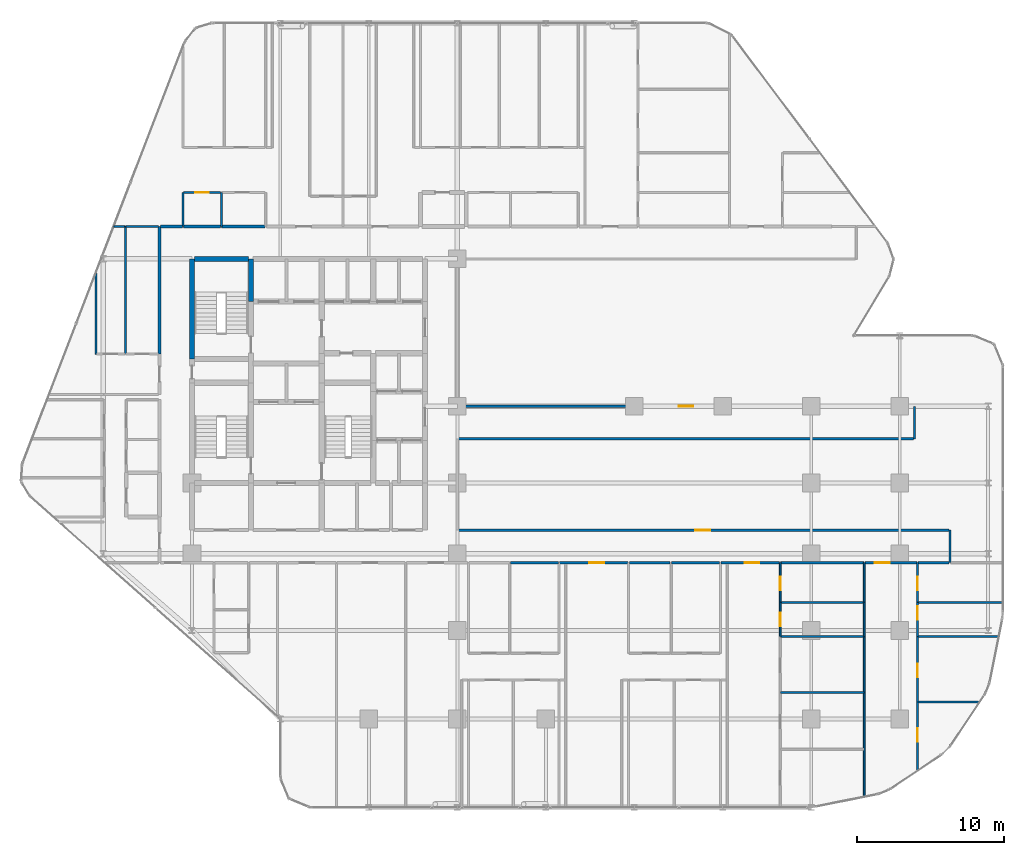
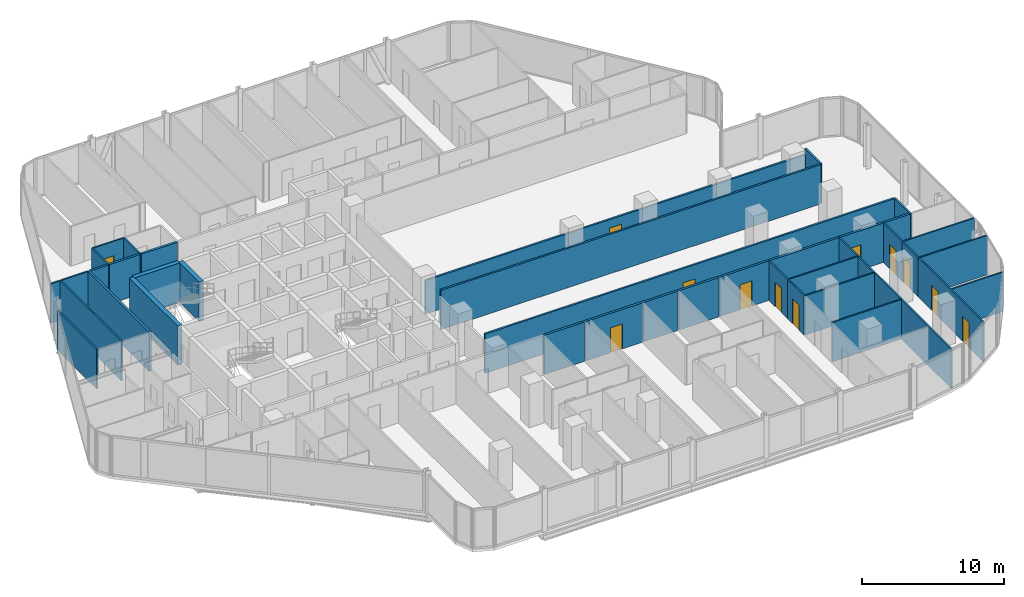
# One storey, part 29 of 33: 41 walls, 12 doors, 12 openings.
"""IFC4 building model written with IfcOpenShell, lengths in metres."""

from ifc_helpers import new_model, si_unit, direction, frame, frame_2d, origin, place, context, subcontext, project, spatial, rectangle, extrude, material, layer, layer_set, type_object, element, fill, save


model = new_model("IFC4")

# Units and contexts
model_context = context("Model", 3, precision=1e-05, world=origin(), true_north=direction((0.0, 1.0)))
body_context = subcontext(model_context, "Body", "Model", "MODEL_VIEW")
ifc_project = project(units=[si_unit("LENGTHUNIT", "METRE"), si_unit("AREAUNIT", "SQUARE_METRE"), si_unit("VOLUMEUNIT", "CUBIC_METRE"), si_unit("PLANEANGLEUNIT", "RADIAN"), si_unit("MASSUNIT", "GRAM", prefix="KILO")], contexts=[model_context])

# Site, building, storey
site_placement = place(None, origin())
site = spatial("IfcSite", under=ifc_project, at=site_placement, CompositionType="ELEMENT")
building_placement = place(site_placement, origin())
building = spatial("IfcBuilding", under=site, at=building_placement, Name="Keshet Zoharim Tower", CompositionType="ELEMENT")
storey_placement = place(building_placement, frame((0.0, 0.0, 73.800048828125)))
storey = spatial("IfcBuildingStorey", under=building, at=storey_placement, Name="L17", CompositionType="ELEMENT", Elevation=73.800048828125)

# Walls
ifc_material_1 = material(Name="Gypsum Plasterboard", Category="gypsum")
ifc_layer_1 = layer(ifc_material_1, 0.14990234375)
ifc_layer_set_1 = layer_set([ifc_layer_1], Name="Gypsum Plasterboard")
wall_type_1 = type_object("IfcWallType", Name="WL-CLIN-150", PredefinedType="STANDARD", material=ifc_layer_set_1)
wall_1_placement = place(storey_placement, frame((64.0, 25.699951171875, 0.0), z_axis=(0.0, 0.0, 1.0), x_axis=(0.0, 1.0, 0.0)))
element("IfcWall", 1, at=wall_1_placement, inside=storey, type_object=wall_type_1, Name="L17 Interior Wall 110", PredefinedType="STANDARD", context=body_context, shape_type="SweptSolid", body=[
    extrude(rectangle(XDim=2.199951171875, YDim=0.14990234375, at=frame_2d((1.10009765625, 0.0))), origin(), (0.0, 0.0, 1.0), 3.385009765625),
])
wall_2_placement = place(storey_placement, frame((66.39990234375, 17.31005859375, 0.0), z_axis=(0.0, 0.0, 1.0), x_axis=(0.0, 1.0, 0.0)))
element("IfcWall", 2, at=wall_2_placement, inside=storey, type_object=wall_type_1, Name="L17 Interior Wall 114", PredefinedType="STANDARD", context=body_context, shape_type="SweptSolid", body=[
    extrude(rectangle(XDim=2.18994140625, YDim=0.14990234375, at=frame_2d((1.094970703125, 0.0))), origin(), (0.0, 0.0, 1.0), 3.385009765625),
])

# Wall, opening, door
wall_3_placement = place(storey_placement, frame((33.070068359375, 19.5, 0.0), z_axis=(0.0, 0.0, 1.0), x_axis=(1.0, 0.0, 0.0)))
wall_3 = element("IfcWall", 3, at=wall_3_placement, inside=storey, type_object=wall_type_1, Name="L17 Interior Wall 155", PredefinedType="STANDARD", context=body_context, shape_type="SweptSolid", body=[
    extrude(rectangle(XDim=33.27001953125, YDim=0.14990234375, at=frame_2d((16.635009765625, 0.0))), origin(), (0.0, 0.0, 1.0), 3.385009765625),
])
opening_1_placement = place(wall_3_placement, frame((16.06494140625, 0.0, 0.0)))
opening_1 = element("IfcOpeningElement", 4, at=opening_1_placement, cuts=wall_3, Name="Opening D-F310", PredefinedType="OPENING", context=body_context, shape_type="SweptSolid", body=[
    extrude(rectangle(XDim=1.0, YDim=2.14990234375, at=frame_2d((0.5, 1.074951171875))), frame((0.0, 0.0849609375, 0.0), z_axis=(0.0, -1.0, 0.0), x_axis=(1.0, 0.0, 0.0)), (0.0, 0.0, 1.0), 0.169921875),
])
ifc_material_2 = material(Name="Hardwood Timber", Category="wood")
door_type_1 = type_object("IfcDoorType", Name="DR-FD30-100", OperationType="NOTDEFINED", PredefinedType="DOOR", material=ifc_material_2)
door_1_placement = place(opening_1_placement, origin())
door_1 = element("IfcDoor", 5, at=door_1_placement, inside=storey, type_object=door_type_1, Name="L17 North East Residents Services Suite Door 1", OperationType="SINGLE_SWING_LEFT", OverallHeight=2.14990234375, OverallWidth=1.0, PredefinedType="DOOR", context=body_context, shape_type="SweptSolid", body=[
    extrude(rectangle(XDim=1.0, YDim=2.14990234375, at=frame_2d((0.5, 1.074951171875))), frame((0.0, 0.02490234375, 0.0), z_axis=(0.0, -1.0, 0.0), x_axis=(1.0, 0.0, 0.0)), (0.0, 0.0, 1.0), 0.050048828125),
])
fill(opening_1, door_1)

# Wall
wall_4_placement = place(storey_placement, frame((33.070068359375, 25.699951171875, 0.0), z_axis=(0.0, 0.0, 1.0), x_axis=(1.0, 0.0, 0.0)))
element("IfcWall", 6, at=wall_4_placement, inside=storey, type_object=wall_type_1, Name="L17 Interior Wall 169", PredefinedType="STANDARD", context=body_context, shape_type="SweptSolid", body=[
    extrude(rectangle(XDim=30.869873046875, YDim=0.14990234375, at=frame_2d((15.43505859375, 0.0))), origin(), (0.0, 0.0, 1.0), 3.385009765625),
])

# Wall, opening, door
wall_5_placement = place(storey_placement, frame((33.070068359375, 27.89990234375, 0.0), z_axis=(0.0, 0.0, 1.0), x_axis=(1.0, 0.0, 0.0)))
wall_5 = element("IfcWall", 7, at=wall_5_placement, inside=storey, type_object=wall_type_1, Name="L17 Interior Wall 170", PredefinedType="STANDARD", context=body_context, shape_type="SweptSolid", body=[
    extrude(rectangle(XDim=30.869873046875, YDim=0.14990234375, at=frame_2d((15.43505859375, 0.0))), origin(), (0.0, 0.0, 1.0), 2.885009765625),
])
opening_2_placement = place(wall_5_placement, frame((14.93505859375, 0.0, 0.0)))
opening_2 = element("IfcOpeningElement", 8, at=opening_2_placement, cuts=wall_5, Name="Opening D-F310", PredefinedType="OPENING", context=body_context, shape_type="SweptSolid", body=[
    extrude(rectangle(XDim=1.0, YDim=2.14990234375, at=frame_2d((0.5, 1.074951171875))), frame((0.0, 0.0849609375, 0.0), z_axis=(0.0, -1.0, 0.0), x_axis=(1.0, 0.0, 0.0)), (0.0, 0.0, 1.0), 0.169921875),
])
door_2_placement = place(opening_2_placement, origin())
door_2 = element("IfcDoor", 9, at=door_2_placement, inside=storey, type_object=door_type_1, Name="L17 North East Residents Services Suite Door 2", OperationType="SINGLE_SWING_LEFT", OverallHeight=2.14990234375, OverallWidth=1.0, PredefinedType="DOOR", context=body_context, shape_type="SweptSolid", body=[
    extrude(rectangle(XDim=1.0, YDim=2.14990234375, at=frame_2d((0.5, 1.074951171875))), frame((0.0, 0.02490234375, 0.0), z_axis=(0.0, -1.0, 0.0), x_axis=(1.0, 0.0, 0.0)), (0.0, 0.0, 1.0), 0.050048828125),
])
fill(opening_2, door_2)

# Walls
ifc_material_3 = material(Name="Concrete C60/75", Category="concrete")
ifc_layer_2 = layer(ifc_material_3, 0.35009765625)
ifc_layer_set_2 = layer_set([ifc_layer_2], Name="Concrete C60/75")
wall_type_2 = type_object("IfcWallType", Name="WL-CORE-350", PredefinedType="SHEAR", material=ifc_layer_set_2)
wall_6_placement = place(storey_placement, frame((15.0, 31.10009765625, 0.0), z_axis=(0.0, 0.0, 1.0), x_axis=(0.0, 1.0, 0.0)))
element("IfcWall", 10, at=wall_6_placement, inside=storey, type_object=wall_type_2, Name="L17 Core Shear Wall 018", PredefinedType="SHEAR", context=body_context, shape_type="SweptSolid", body=[
    extrude(rectangle(XDim=6.7998046875, YDim=0.35009765625, at=frame_2d((3.39990234375, 0.0))), origin(), (0.0, 0.0, 1.0), 3.385009765625),
])
wall_7_placement = place(storey_placement, frame((19.0, 35.0, 0.0), z_axis=(0.0, 0.0, 1.0), x_axis=(0.0, 1.0, 0.0)))
element("IfcWall", 11, at=wall_7_placement, inside=storey, type_object=wall_type_2, Name="L17 Core Shear Wall 029", PredefinedType="SHEAR", context=body_context, shape_type="SweptSolid", body=[
    extrude(rectangle(XDim=2.89990234375, YDim=0.35009765625, at=frame_2d((1.449951171875, 0.0))), origin(), (0.0, 0.0, 1.0), 3.385009765625),
])
wall_8_placement = place(storey_placement, frame((15.159912109375, 37.89990234375, 0.0), z_axis=(0.0, 0.0, 1.0), x_axis=(1.0, 0.0, 0.0)))
element("IfcWall", 12, at=wall_8_placement, inside=storey, type_object=wall_type_2, Name="L17 Core Shear Wall 186", PredefinedType="SHEAR", context=body_context, shape_type="SweptSolid", body=[
    extrude(rectangle(XDim=3.68017578125, YDim=0.35009765625, at=frame_2d((1.840087890625, 0.0))), origin(), (0.0, 0.0, 1.0), 3.385009765625),
])
ifc_layer_3 = layer(ifc_material_1, 0.179931640625)
ifc_layer_set_3 = layer_set([ifc_layer_3], Name="Gypsum Plasterboard")
wall_type_3 = type_object("IfcWallType", Name="WL-CORR-180", PredefinedType="STANDARD", material=ifc_layer_set_3)
wall_9_placement = place(storey_placement, frame((12.800048828125, 31.449951171875, 0.0), z_axis=(0.0, 0.0, 1.0), x_axis=(0.0, 1.0, 0.0)))
element("IfcWall", 13, at=wall_9_placement, inside=storey, type_object=wall_type_3, Name="L17 Interior Wall 012", PredefinedType="STANDARD", context=body_context, shape_type="SweptSolid", body=[
    extrude(rectangle(XDim=8.650146484375, YDim=0.179931640625, at=frame_2d((4.3251953125, 0.0))), origin(), (0.0, 0.0, 1.0), 3.385009765625),
])
wall_10_placement = place(storey_placement, frame((36.614013671875, 17.300048828125, 0.0), z_axis=(0.0, 0.0, 1.0), x_axis=(1.0, 0.0, 0.0)))
element("IfcWall", 14, at=wall_10_placement, inside=storey, type_object=wall_type_3, Name="L17 Interior Wall 142", PredefinedType="STANDARD", context=body_context, shape_type="SweptSolid", body=[
    extrude(rectangle(XDim=3.23095703125, YDim=0.179931640625, at=frame_2d((1.615478515625, 0.0))), origin(), (0.0, 0.0, 1.0), 3.385009765625),
])

# Wall, opening, door
wall_11_placement = place(storey_placement, frame((39.93505859375, 17.300048828125, 0.0), z_axis=(0.0, 0.0, 1.0), x_axis=(1.0, 0.0, 0.0)))
wall_11 = element("IfcWall", 15, at=wall_11_placement, inside=storey, type_object=wall_type_3, Name="L17 Interior Wall 143", PredefinedType="STANDARD", context=body_context, shape_type="SweptSolid", body=[
    extrude(rectangle(XDim=4.639892578125, YDim=0.179931640625, at=frame_2d((2.31982421875, 0.0))), origin(), (0.0, 0.0, 1.0), 3.385009765625),
])
opening_3_placement = place(wall_11_placement, frame((2.02001953125, 0.0, 0.0)))
opening_3 = element("IfcOpeningElement", 16, at=opening_3_placement, cuts=wall_11, Name="Opening D-F310", PredefinedType="OPENING", context=body_context, shape_type="SweptSolid", body=[
    extrude(rectangle(XDim=1.0, YDim=2.14990234375, at=frame_2d((0.5, 1.074951171875))), frame((0.0, 0.10009765625, 0.0), z_axis=(0.0, -1.0, 0.0), x_axis=(1.0, 0.0, 0.0)), (0.0, 0.0, 1.0), 0.199951171875),
])
door_3_placement = place(opening_3_placement, origin())
door_3 = element("IfcDoor", 17, at=door_3_placement, inside=storey, type_object=door_type_1, Name="Apartment 1703 Entrance Door", OperationType="SINGLE_SWING_LEFT", OverallHeight=2.14990234375, OverallWidth=1.0, PredefinedType="DOOR", context=body_context, shape_type="SweptSolid", body=[
    extrude(rectangle(XDim=1.0, YDim=2.14990234375, at=frame_2d((0.5, 1.074951171875))), frame((0.0, 0.02490234375, 0.0), z_axis=(0.0, -1.0, 0.0), x_axis=(1.0, 0.0, 0.0)), (0.0, 0.0, 1.0), 0.050048828125),
])
fill(opening_3, door_3)

# Walls
wall_12_placement = place(storey_placement, frame((44.6650390625, 17.300048828125, 0.0), z_axis=(0.0, 0.0, 1.0), x_axis=(1.0, 0.0, 0.0)))
element("IfcWall", 18, at=wall_12_placement, inside=storey, type_object=wall_type_3, Name="L17 Interior Wall 144", PredefinedType="STANDARD", context=body_context, shape_type="SweptSolid", body=[
    extrude(rectangle(XDim=2.766845703125, YDim=0.179931640625, at=frame_2d((1.38330078125, 0.0))), origin(), (0.0, 0.0, 1.0), 3.385009765625),
])
wall_13_placement = place(storey_placement, frame((47.52197265625, 17.300048828125, 0.0), z_axis=(0.0, 0.0, 1.0), x_axis=(1.0, 0.0, 0.0)))
element("IfcWall", 19, at=wall_13_placement, inside=storey, type_object=wall_type_3, Name="L17 Interior Wall 145", PredefinedType="STANDARD", context=body_context, shape_type="SweptSolid", body=[
    extrude(rectangle(XDim=3.262939453125, YDim=0.179931640625, at=frame_2d((1.63134765625, 0.0))), origin(), (0.0, 0.0, 1.0), 3.385009765625),
])

# Wall, opening, door
wall_14_placement = place(storey_placement, frame((50.875, 17.300048828125, 0.0), z_axis=(0.0, 0.0, 1.0), x_axis=(1.0, 0.0, 0.0)))
wall_14 = element("IfcWall", 20, at=wall_14_placement, inside=storey, type_object=wall_type_3, Name="L17 Interior Wall 146", PredefinedType="STANDARD", context=body_context, shape_type="SweptSolid", body=[
    extrude(rectangle(XDim=3.9599609375, YDim=0.179931640625, at=frame_2d((1.97998046875, 0.0))), origin(), (0.0, 0.0, 1.0), 3.385009765625),
])
opening_4_placement = place(wall_14_placement, frame((1.60888671875, 0.0, 0.0)))
opening_4 = element("IfcOpeningElement", 21, at=opening_4_placement, cuts=wall_14, Name="Opening D-F310", PredefinedType="OPENING", context=body_context, shape_type="SweptSolid", body=[
    extrude(rectangle(XDim=1.0, YDim=2.14990234375, at=frame_2d((0.5, 1.074951171875))), frame((0.0, 0.10009765625, 0.0), z_axis=(0.0, -1.0, 0.0), x_axis=(1.0, 0.0, 0.0)), (0.0, 0.0, 1.0), 0.199951171875),
])
door_4_placement = place(opening_4_placement, origin())
door_4 = element("IfcDoor", 22, at=door_4_placement, inside=storey, type_object=door_type_1, Name="Apartment 1704 Entrance Door", OperationType="SINGLE_SWING_RIGHT", OverallHeight=2.14990234375, OverallWidth=1.0, PredefinedType="DOOR", context=body_context, shape_type="SweptSolid", body=[
    extrude(rectangle(XDim=1.0, YDim=2.14990234375, at=frame_2d((0.5, 1.074951171875))), frame((0.0, 0.02490234375, 0.0), z_axis=(0.0, -1.0, 0.0), x_axis=(1.0, 0.0, 0.0)), (0.0, 0.0, 1.0), 0.050048828125),
])
fill(opening_4, door_4)

# Wall
wall_15_placement = place(storey_placement, frame((54.925048828125, 17.300048828125, 0.0), z_axis=(0.0, 0.0, 1.0), x_axis=(1.0, 0.0, 0.0)))
element("IfcWall", 23, at=wall_15_placement, inside=storey, type_object=wall_type_3, Name="L17 Interior Wall 147", PredefinedType="STANDARD", context=body_context, shape_type="SweptSolid", body=[
    extrude(rectangle(XDim=5.639892578125, YDim=0.179931640625, at=frame_2d((2.81982421875, 0.0))), origin(), (0.0, 0.0, 1.0), 3.385009765625),
])

# Wall, opening, door
wall_16_placement = place(storey_placement, frame((60.655029296875, 17.300048828125, 0.0), z_axis=(0.0, 0.0, 1.0), x_axis=(1.0, 0.0, 0.0)))
wall_16 = element("IfcWall", 24, at=wall_16_placement, inside=storey, type_object=wall_type_3, Name="L17 Interior Wall 148", PredefinedType="STANDARD", context=body_context, shape_type="SweptSolid", body=[
    extrude(rectangle(XDim=3.510009765625, YDim=0.179931640625, at=frame_2d((1.7548828125, 0.0))), origin(), (0.0, 0.0, 1.0), 3.385009765625),
])
opening_5_placement = place(wall_16_placement, frame((0.659912109375, 0.0, 0.0)))
opening_5 = element("IfcOpeningElement", 25, at=opening_5_placement, cuts=wall_16, Name="Opening D-F310", PredefinedType="OPENING", context=body_context, shape_type="SweptSolid", body=[
    extrude(rectangle(XDim=1.0, YDim=2.14990234375, at=frame_2d((0.5, 1.074951171875))), frame((0.0, 0.10009765625, 0.0), z_axis=(0.0, -1.0, 0.0), x_axis=(1.0, 0.0, 0.0)), (0.0, 0.0, 1.0), 0.199951171875),
])
door_5_placement = place(opening_5_placement, origin())
door_5 = element("IfcDoor", 26, at=door_5_placement, inside=storey, type_object=door_type_1, Name="Apartment 1705 Entrance Door", OperationType="SINGLE_SWING_LEFT", OverallHeight=2.14990234375, OverallWidth=1.0, PredefinedType="DOOR", context=body_context, shape_type="SweptSolid", body=[
    extrude(rectangle(XDim=1.0, YDim=2.14990234375, at=frame_2d((0.5, 1.074951171875))), frame((0.0, 0.02490234375, 0.0), z_axis=(0.0, -1.0, 0.0), x_axis=(1.0, 0.0, 0.0)), (0.0, 0.0, 1.0), 0.050048828125),
])
fill(opening_5, door_5)

# Walls
wall_17_placement = place(storey_placement, frame((64.2548828125, 17.300048828125, 0.0), z_axis=(0.0, 0.0, 1.0), x_axis=(1.0, 0.0, 0.0)))
element("IfcWall", 27, at=wall_17_placement, inside=storey, type_object=wall_type_3, Name="L17 Interior Wall 149", PredefinedType="STANDARD", context=body_context, shape_type="SweptSolid", body=[
    extrude(rectangle(XDim=2.085205078125, YDim=0.179931640625, at=frame_2d((1.04248046875, 0.0))), origin(), (0.0, 0.0, 1.0), 3.385009765625),
])
wall_18_placement = place(storey_placement, frame((12.875, 40.10009765625, 0.0), z_axis=(0.0, 0.0, 1.0), x_axis=(1.0, 0.0, 0.0)))
element("IfcWall", 28, at=wall_18_placement, inside=storey, type_object=wall_type_3, Name="L17 Interior Wall 191", PredefinedType="STANDARD", context=body_context, shape_type="SweptSolid", body=[
    extrude(rectangle(XDim=1.47998046875, YDim=0.179931640625, at=frame_2d((0.739990234375, 0.0))), origin(), (0.0, 0.0, 1.0), 3.385009765625),
])
wall_19_placement = place(storey_placement, frame((14.445068359375, 40.10009765625, 0.0), z_axis=(0.0, 0.0, 1.0), x_axis=(1.0, 0.0, 0.0)))
element("IfcWall", 29, at=wall_19_placement, inside=storey, type_object=wall_type_3, Name="L17 Interior Wall 192", PredefinedType="STANDARD", context=body_context, shape_type="SweptSolid", body=[
    extrude(rectangle(XDim=2.48583984375, YDim=0.179931640625, at=frame_2d((1.242919921875, 0.0))), origin(), (0.0, 0.0, 1.0), 3.385009765625),
])
wall_20_placement = place(storey_placement, frame((17.02099609375, 40.10009765625, 0.0), z_axis=(0.0, 0.0, 1.0), x_axis=(1.0, 0.0, 0.0)))
element("IfcWall", 30, at=wall_20_placement, inside=storey, type_object=wall_type_3, Name="L17 Interior Wall 193", PredefinedType="STANDARD", context=body_context, shape_type="SweptSolid", body=[
    extrude(rectangle(XDim=2.93408203125, YDim=0.179931640625, at=frame_2d((1.467041015625, 0.0))), origin(), (0.0, 0.0, 1.0), 3.385009765625),
])
ifc_layer_4 = layer(ifc_material_1, 0.1201171875)
ifc_layer_set_4 = layer_set([ifc_layer_4], Name="Gypsum Plasterboard")
wall_type_4 = type_object("IfcWallType", Name="WL-PART-120", PredefinedType="PARTITIONING", material=ifc_layer_set_4)
wall_21_placement = place(storey_placement, frame((8.5, 31.449951171875, 0.0), z_axis=(0.0, 0.0, 1.0), x_axis=(0.0, 1.0, 0.0)))
element("IfcWall", 31, at=wall_21_placement, inside=storey, type_object=wall_type_4, Name="L17 Interior Wall 001", PredefinedType="PARTITIONING", context=body_context, shape_type="SweptSolid", body=[
    extrude(rectangle(XDim=5.5400390625, YDim=0.1201171875, at=frame_2d((2.77001953125, 0.0))), origin(), (0.0, 0.0, 1.0), 3.385009765625),
])
wall_22_placement = place(storey_placement, frame((14.39990234375, 40.10009765625, 0.0), z_axis=(0.0, 0.0, 1.0), x_axis=(0.0, 1.0, 0.0)))
element("IfcWall", 32, at=wall_22_placement, inside=storey, type_object=wall_type_4, Name="L17 Interior Wall 013", PredefinedType="PARTITIONING", context=body_context, shape_type="SweptSolid", body=[
    extrude(rectangle(XDim=2.2998046875, YDim=0.1201171875, at=frame_2d((1.14990234375, 0.0))), origin(), (0.0, 0.0, 1.0), 3.385009765625),
])

# Wall, opening, door
wall_23_placement = place(storey_placement, frame((54.89990234375, 12.300048828125, 0.0), z_axis=(0.0, 0.0, 1.0), x_axis=(0.0, 1.0, 0.0)))
wall_23 = element("IfcWall", 33, at=wall_23_placement, inside=storey, type_object=wall_type_4, Name="L17 Interior Wall 102", PredefinedType="PARTITIONING", context=body_context, shape_type="SweptSolid", body=[
    extrude(rectangle(XDim=2.300048828125, YDim=0.1201171875, at=frame_2d((1.14990234375, 0.0))), origin(), (0.0, 0.0, 1.0), 3.385009765625),
])
opening_6_placement = place(wall_23_placement, frame((0.699951171875, 0.0, 0.0)))
opening_6 = element("IfcOpeningElement", 34, at=opening_6_placement, cuts=wall_23, Name="Opening D-IN90", PredefinedType="OPENING", context=body_context, shape_type="SweptSolid", body=[
    extrude(rectangle(XDim=0.89990234375, YDim=2.14990234375, at=frame_2d((0.449951171875, 1.074951171875))), frame((0.0, 0.070068359375, 0.0), z_axis=(0.0, -1.0, 0.0), x_axis=(1.0, 0.0, 0.0)), (0.0, 0.0, 1.0), 0.14013671875),
])
door_type_2 = type_object("IfcDoorType", Name="DR-INT-090", OperationType="NOTDEFINED", PredefinedType="DOOR", material=ifc_material_2)
door_6_placement = place(opening_6_placement, origin())
door_6 = element("IfcDoor", 35, at=door_6_placement, inside=storey, type_object=door_type_2, Name="Apartment 1704 Kitchen Door", OperationType="SINGLE_SWING_LEFT", OverallHeight=2.14990234375, OverallWidth=0.89990234375, PredefinedType="DOOR", context=body_context, shape_type="SweptSolid", body=[
    extrude(rectangle(XDim=0.89990234375, YDim=2.14990234375, at=frame_2d((0.449951171875, 1.074951171875))), frame((0.0, 0.02490234375, 0.0), z_axis=(0.0, -1.0, 0.0), x_axis=(1.0, 0.0, 0.0)), (0.0, 0.0, 1.0), 0.050048828125),
])
fill(opening_6, door_6)

# Walls
wall_24_placement = place(storey_placement, frame((60.60009765625, 1.426025390625, 0.0), z_axis=(0.0, 0.0, 1.0), x_axis=(0.0, 1.0, 0.0)))
element("IfcWall", 36, at=wall_24_placement, inside=storey, type_object=wall_type_4, Name="L17 Interior Wall 107", PredefinedType="PARTITIONING", context=body_context, shape_type="SweptSolid", body=[
    extrude(rectangle(XDim=10.8740234375, YDim=0.1201171875, at=frame_2d((5.43701171875, 0.0))), origin(), (0.0, 0.0, 1.0), 3.385009765625),
])
wall_25_placement = place(storey_placement, frame((60.60009765625, 12.300048828125, 0.0), z_axis=(0.0, 0.0, 1.0), x_axis=(0.0, 1.0, 0.0)))
element("IfcWall", 37, at=wall_25_placement, inside=storey, type_object=wall_type_4, Name="L17 Interior Wall 108", PredefinedType="PARTITIONING", context=body_context, shape_type="SweptSolid", body=[
    extrude(rectangle(XDim=2.300048828125, YDim=0.1201171875, at=frame_2d((1.14990234375, 0.0))), origin(), (0.0, 0.0, 1.0), 3.385009765625),
])

# Wall, openings, doors
wall_26_placement = place(storey_placement, frame((64.199951171875, 3.18701171875, 0.0), z_axis=(0.0, 0.0, 1.0), x_axis=(0.0, 1.0, 0.0)))
wall_26 = element("IfcWall", 38, at=wall_26_placement, inside=storey, type_object=wall_type_4, Name="L17 Interior Wall 111", PredefinedType="PARTITIONING", context=body_context, shape_type="SweptSolid", body=[
    extrude(rectangle(XDim=9.113037109375, YDim=0.1201171875, at=frame_2d((4.556640625, 0.0))), origin(), (0.0, 0.0, 1.0), 3.385009765625),
])
opening_7_placement = place(wall_26_placement, frame((1.969970703125, 0.0, 0.0)))
opening_7 = element("IfcOpeningElement", 39, at=opening_7_placement, cuts=wall_26, Name="Opening D-IN90", PredefinedType="OPENING", context=body_context, shape_type="SweptSolid", body=[
    extrude(rectangle(XDim=0.89990234375, YDim=2.14990234375, at=frame_2d((0.449951171875, 1.074951171875))), frame((0.0, 0.070068359375, 0.0), z_axis=(0.0, -1.0, 0.0), x_axis=(1.0, 0.0, 0.0)), (0.0, 0.0, 1.0), 0.14013671875),
])
opening_8_placement = place(wall_26_placement, frame((6.35693359375, 0.0, 0.0)))
opening_8 = element("IfcOpeningElement", 40, at=opening_8_placement, cuts=wall_26, Name="Opening D-IN90", PredefinedType="OPENING", context=body_context, shape_type="SweptSolid", body=[
    extrude(rectangle(XDim=0.89990234375, YDim=2.14990234375, at=frame_2d((0.449951171875, 1.074951171875))), frame((0.0, 0.070068359375, 0.0), z_axis=(0.0, -1.0, 0.0), x_axis=(1.0, 0.0, 0.0)), (0.0, 0.0, 1.0), 0.14013671875),
])
door_7_placement = place(opening_7_placement, origin())
door_7 = element("IfcDoor", 41, at=door_7_placement, inside=storey, type_object=door_type_2, Name="Apartment 1705 Bedroom 1 Door", OperationType="SINGLE_SWING_LEFT", OverallHeight=2.14990234375, OverallWidth=0.89990234375, PredefinedType="DOOR", context=body_context, shape_type="SweptSolid", body=[
    extrude(rectangle(XDim=0.89990234375, YDim=2.14990234375, at=frame_2d((0.449951171875, 1.074951171875))), frame((0.0, 0.02490234375, 0.0), z_axis=(0.0, -1.0, 0.0), x_axis=(1.0, 0.0, 0.0)), (0.0, 0.0, 1.0), 0.050048828125),
])
fill(opening_7, door_7)
door_8_placement = place(opening_8_placement, origin())
door_8 = element("IfcDoor", 42, at=door_8_placement, inside=storey, type_object=door_type_2, Name="Apartment 1705 Bedroom 2 Door", OperationType="SINGLE_SWING_RIGHT", OverallHeight=2.14990234375, OverallWidth=0.89990234375, PredefinedType="DOOR", context=body_context, shape_type="SweptSolid", body=[
    extrude(rectangle(XDim=0.89990234375, YDim=2.14990234375, at=frame_2d((0.449951171875, 1.074951171875))), frame((0.0, 0.02490234375, 0.0), z_axis=(0.0, -1.0, 0.0), x_axis=(1.0, 0.0, 0.0)), (0.0, 0.0, 1.0), 0.050048828125),
])
fill(opening_8, door_8)

# Wall, opening, door
wall_27_placement = place(storey_placement, frame((64.199951171875, 12.300048828125, 0.0), z_axis=(0.0, 0.0, 1.0), x_axis=(0.0, 1.0, 0.0)))
wall_27 = element("IfcWall", 43, at=wall_27_placement, inside=storey, type_object=wall_type_4, Name="L17 Interior Wall 112", PredefinedType="PARTITIONING", context=body_context, shape_type="SweptSolid", body=[
    extrude(rectangle(XDim=2.300048828125, YDim=0.1201171875, at=frame_2d((1.14990234375, 0.0))), origin(), (0.0, 0.0, 1.0), 3.385009765625),
])
opening_9_placement = place(wall_27_placement, frame((1.14208984375, 0.0, 0.0)))
opening_9 = element("IfcOpeningElement", 44, at=opening_9_placement, cuts=wall_27, Name="Opening D-IN90", PredefinedType="OPENING", context=body_context, shape_type="SweptSolid", body=[
    extrude(rectangle(XDim=0.89990234375, YDim=2.14990234375, at=frame_2d((0.449951171875, 1.074951171875))), frame((0.0, 0.070068359375, 0.0), z_axis=(0.0, -1.0, 0.0), x_axis=(1.0, 0.0, 0.0)), (0.0, 0.0, 1.0), 0.14013671875),
])
door_9_placement = place(opening_9_placement, origin())
door_9 = element("IfcDoor", 45, at=door_9_placement, inside=storey, type_object=door_type_2, Name="Apartment 1705 Kitchen Door", OperationType="SINGLE_SWING_LEFT", OverallHeight=2.14990234375, OverallWidth=0.89990234375, PredefinedType="DOOR", context=body_context, shape_type="SweptSolid", body=[
    extrude(rectangle(XDim=0.89990234375, YDim=2.14990234375, at=frame_2d((0.449951171875, 1.074951171875))), frame((0.0, 0.02490234375, 0.0), z_axis=(0.0, -1.0, 0.0), x_axis=(1.0, 0.0, 0.0)), (0.0, 0.0, 1.0), 0.050048828125),
])
fill(opening_9, door_9)

# Walls
wall_28_placement = place(storey_placement, frame((64.2548828125, 7.85009765625, 0.0), z_axis=(0.0, 0.0, 1.0), x_axis=(1.0, 0.0, 0.0)))
element("IfcWall", 46, at=wall_28_placement, inside=storey, type_object=wall_type_4, Name="L17 Interior Wall 116", PredefinedType="PARTITIONING", context=body_context, shape_type="SweptSolid", body=[
    extrude(rectangle(XDim=4.1611328125, YDim=0.1201171875, at=frame_2d((2.08056640625, 0.0))), origin(), (0.0, 0.0, 1.0), 3.385009765625),
])
for number, where, z_axis, x_axis, name in (
    (47, (54.925048828125, 8.5, 0.0), (0.0, 0.0, 1.0), (1.0, 0.0, 0.0), "L17 Interior Wall 117"),
    (48, (54.925048828125, 12.300048828125, 0.0), (0.0, 0.0, 1.0), (1.0, 0.0, 0.0), "L17 Interior Wall 129"),
):
    element("IfcWall", number, at=place(storey_placement, frame(where, z_axis=z_axis, x_axis=x_axis)), inside=storey, type_object=wall_type_4, Name=name, PredefinedType="PARTITIONING", context=body_context, shape_type="SweptSolid", body=[
        extrude(rectangle(XDim=5.639892578125, YDim=0.1201171875, at=frame_2d((2.81982421875, 0.0))), origin(), (0.0, 0.0, 1.0), 3.385009765625),
    ])
wall_29_placement = place(storey_placement, frame((64.2548828125, 12.300048828125, 0.0), z_axis=(0.0, 0.0, 1.0), x_axis=(1.0, 0.0, 0.0)))
element("IfcWall", 49, at=wall_29_placement, inside=storey, type_object=wall_type_4, Name="L17 Interior Wall 130", PredefinedType="PARTITIONING", context=body_context, shape_type="SweptSolid", body=[
    extrude(rectangle(XDim=5.45703125, YDim=0.1201171875, at=frame_2d((2.728515625, 0.0))), origin(), (0.0, 0.0, 1.0), 3.385009765625),
])
wall_30_placement = place(storey_placement, frame((9.701904296875, 40.10009765625, 0.0), z_axis=(0.0, 0.0, 1.0), x_axis=(1.0, 0.0, 0.0)))
element("IfcWall", 50, at=wall_30_placement, inside=storey, type_object=wall_type_4, Name="L17 Interior Wall 189", PredefinedType="PARTITIONING", context=body_context, shape_type="SweptSolid", body=[
    extrude(rectangle(XDim=0.731201171875, YDim=0.1201171875, at=frame_2d((0.36572265625, 0.0))), origin(), (0.0, 0.0, 1.0), 3.385009765625),
])

# Wall, opening, door
wall_31_placement = place(storey_placement, frame((14.445068359375, 42.39990234375, 0.0), z_axis=(0.0, 0.0, 1.0), x_axis=(1.0, 0.0, 0.0)))
wall_31 = element("IfcWall", 51, at=wall_31_placement, inside=storey, type_object=wall_type_4, Name="L17 Interior Wall 205", PredefinedType="PARTITIONING", context=body_context, shape_type="SweptSolid", body=[
    extrude(rectangle(XDim=2.48583984375, YDim=0.1201171875, at=frame_2d((1.242919921875, 0.0))), origin(), (0.0, 0.0, 1.0), 3.385009765625),
])
opening_10_placement = place(wall_31_placement, frame((0.79296875, 0.0, 0.0)))
opening_10 = element("IfcOpeningElement", 52, at=opening_10_placement, cuts=wall_31, Name="Opening D-IN90", PredefinedType="OPENING", context=body_context, shape_type="SweptSolid", body=[
    extrude(rectangle(XDim=0.89990234375, YDim=2.14990234375, at=frame_2d((0.449951171875, 1.074951171875))), frame((0.0, 0.070068359375, 0.0), z_axis=(0.0, -1.0, 0.0), x_axis=(1.0, 0.0, 0.0)), (0.0, 0.0, 1.0), 0.14013671875),
])
door_10_placement = place(opening_10_placement, origin())
door_10 = element("IfcDoor", 53, at=door_10_placement, inside=storey, type_object=door_type_2, Name="Apartment 1706 Kitchen Door", OperationType="SINGLE_SWING_LEFT", OverallHeight=2.14990234375, OverallWidth=0.89990234375, PredefinedType="DOOR", context=body_context, shape_type="SweptSolid", body=[
    extrude(rectangle(XDim=0.89990234375, YDim=2.14990234375, at=frame_2d((0.449951171875, 1.074951171875))), frame((0.0, 0.02490234375, 0.0), z_axis=(0.0, -1.0, 0.0), x_axis=(1.0, 0.0, 0.0)), (0.0, 0.0, 1.0), 0.050048828125),
])
fill(opening_10, door_10)

# Walls
ifc_layer_5 = layer(ifc_material_1, 0.1201171875)
ifc_layer_set_5 = layer_set([ifc_layer_5], Name="Gypsum Plasterboard")
wall_type_5 = type_object("IfcWallType", Name="WL-WET-120", PredefinedType="PARTITIONING", material=ifc_layer_set_5)
wall_32_placement = place(storey_placement, frame((10.5, 31.449951171875, 0.0), z_axis=(0.0, 0.0, 1.0), x_axis=(0.0, 1.0, 0.0)))
element("IfcWall", 54, at=wall_32_placement, inside=storey, type_object=wall_type_5, Name="L17 Interior Wall 003", PredefinedType="PARTITIONING", context=body_context, shape_type="SweptSolid", body=[
    extrude(rectangle(XDim=8.650146484375, YDim=0.1201171875, at=frame_2d((4.3251953125, 0.0))), origin(), (0.0, 0.0, 1.0), 3.385009765625),
])
wall_33_placement = place(storey_placement, frame((17.0, 40.10009765625, 0.0), z_axis=(0.0, 0.0, 1.0), x_axis=(0.0, 1.0, 0.0)))
element("IfcWall", 55, at=wall_33_placement, inside=storey, type_object=wall_type_5, Name="L17 Interior Wall 021", PredefinedType="PARTITIONING", context=body_context, shape_type="SweptSolid", body=[
    extrude(rectangle(XDim=2.2998046875, YDim=0.1201171875, at=frame_2d((1.14990234375, 0.0))), origin(), (0.0, 0.0, 1.0), 3.385009765625),
])

# Wall, opening, door
wall_34_placement = place(storey_placement, frame((54.89990234375, 14.60009765625, 0.0), z_axis=(0.0, 0.0, 1.0), x_axis=(0.0, 1.0, 0.0)))
wall_34 = element("IfcWall", 56, at=wall_34_placement, inside=storey, type_object=wall_type_5, Name="L17 Interior Wall 103", PredefinedType="PARTITIONING", context=body_context, shape_type="SweptSolid", body=[
    extrude(rectangle(XDim=2.699951171875, YDim=0.1201171875, at=frame_2d((1.35009765625, 0.0))), origin(), (0.0, 0.0, 1.0), 3.385009765625),
])
opening_11_placement = place(wall_34_placement, frame((0.827880859375, 0.0, 0.0)))
opening_11 = element("IfcOpeningElement", 57, at=opening_11_placement, cuts=wall_34, Name="Opening D-WT90", PredefinedType="OPENING", context=body_context, shape_type="SweptSolid", body=[
    extrude(rectangle(XDim=0.89990234375, YDim=2.10009765625, at=frame_2d((0.449951171875, 1.050048828125))), frame((0.0, 0.070068359375, 0.0), z_axis=(0.0, -1.0, 0.0), x_axis=(1.0, 0.0, 0.0)), (0.0, 0.0, 1.0), 0.14013671875),
])
door_type_3 = type_object("IfcDoorType", Name="DR-WET-090", OperationType="NOTDEFINED", PredefinedType="DOOR", material=ifc_material_2)
door_11_placement = place(opening_11_placement, origin())
door_11 = element("IfcDoor", 58, at=door_11_placement, inside=storey, type_object=door_type_3, Name="Apartment 1704 Bathroom Door", OperationType="SINGLE_SWING_RIGHT", OverallHeight=2.10009765625, OverallWidth=0.89990234375, PredefinedType="DOOR", context=body_context, shape_type="SweptSolid", body=[
    extrude(rectangle(XDim=0.89990234375, YDim=2.10009765625, at=frame_2d((0.449951171875, 1.050048828125))), frame((0.0, 0.02490234375, 0.0), z_axis=(0.0, -1.0, 0.0), x_axis=(1.0, 0.0, 0.0)), (0.0, 0.0, 1.0), 0.050048828125),
])
fill(opening_11, door_11)

# Wall
wall_35_placement = place(storey_placement, frame((60.60009765625, 14.60009765625, 0.0), z_axis=(0.0, 0.0, 1.0), x_axis=(0.0, 1.0, 0.0)))
element("IfcWall", 59, at=wall_35_placement, inside=storey, type_object=wall_type_5, Name="L17 Interior Wall 109", PredefinedType="PARTITIONING", context=body_context, shape_type="SweptSolid", body=[
    extrude(rectangle(XDim=2.699951171875, YDim=0.1201171875, at=frame_2d((1.35009765625, 0.0))), origin(), (0.0, 0.0, 1.0), 3.385009765625),
])

# Wall, opening, door
wall_36_placement = place(storey_placement, frame((64.199951171875, 14.60009765625, 0.0), z_axis=(0.0, 0.0, 1.0), x_axis=(0.0, 1.0, 0.0)))
wall_36 = element("IfcWall", 60, at=wall_36_placement, inside=storey, type_object=wall_type_5, Name="L17 Interior Wall 113", PredefinedType="PARTITIONING", context=body_context, shape_type="SweptSolid", body=[
    extrude(rectangle(XDim=2.699951171875, YDim=0.1201171875, at=frame_2d((1.35009765625, 0.0))), origin(), (0.0, 0.0, 1.0), 3.385009765625),
])
opening_12_placement = place(wall_36_placement, frame((0.827880859375, 0.0, 0.0)))
opening_12 = element("IfcOpeningElement", 61, at=opening_12_placement, cuts=wall_36, Name="Opening D-WT90", PredefinedType="OPENING", context=body_context, shape_type="SweptSolid", body=[
    extrude(rectangle(XDim=0.89990234375, YDim=2.10009765625, at=frame_2d((0.449951171875, 1.050048828125))), frame((0.0, 0.070068359375, 0.0), z_axis=(0.0, -1.0, 0.0), x_axis=(1.0, 0.0, 0.0)), (0.0, 0.0, 1.0), 0.14013671875),
])
door_12_placement = place(opening_12_placement, origin())
door_12 = element("IfcDoor", 62, at=door_12_placement, inside=storey, type_object=door_type_3, Name="Apartment 1705 Bathroom Door", OperationType="SINGLE_SWING_RIGHT", OverallHeight=2.10009765625, OverallWidth=0.89990234375, PredefinedType="DOOR", context=body_context, shape_type="SweptSolid", body=[
    extrude(rectangle(XDim=0.89990234375, YDim=2.10009765625, at=frame_2d((0.449951171875, 1.050048828125))), frame((0.0, 0.02490234375, 0.0), z_axis=(0.0, -1.0, 0.0), x_axis=(1.0, 0.0, 0.0)), (0.0, 0.0, 1.0), 0.050048828125),
])
fill(opening_12, door_12)

# Walls
wall_37_placement = place(storey_placement, frame((54.925048828125, 14.60009765625, 0.0), z_axis=(0.0, 0.0, 1.0), x_axis=(1.0, 0.0, 0.0)))
element("IfcWall", 63, at=wall_37_placement, inside=storey, type_object=wall_type_5, Name="L17 Interior Wall 132", PredefinedType="PARTITIONING", context=body_context, shape_type="SweptSolid", body=[
    extrude(rectangle(XDim=5.639892578125, YDim=0.1201171875, at=frame_2d((2.81982421875, 0.0))), origin(), (0.0, 0.0, 1.0), 3.385009765625),
])
wall_38_placement = place(storey_placement, frame((64.2548828125, 14.60009765625, 0.0), z_axis=(0.0, 0.0, 1.0), x_axis=(1.0, 0.0, 0.0)))
element("IfcWall", 64, at=wall_38_placement, inside=storey, type_object=wall_type_5, Name="L17 Interior Wall 133", PredefinedType="PARTITIONING", context=body_context, shape_type="SweptSolid", body=[
    extrude(rectangle(XDim=5.735107421875, YDim=0.1201171875, at=frame_2d((2.86767578125, 0.0))), origin(), (0.0, 0.0, 1.0), 3.385009765625),
])
wall_39_placement = place(storey_placement, frame((10.52294921875, 40.10009765625, 0.0), z_axis=(0.0, 0.0, 1.0), x_axis=(1.0, 0.0, 0.0)))
element("IfcWall", 65, at=wall_39_placement, inside=storey, type_object=wall_type_5, Name="L17 Interior Wall 190", PredefinedType="PARTITIONING", context=body_context, shape_type="SweptSolid", body=[
    extrude(rectangle(XDim=2.2021484375, YDim=0.1201171875, at=frame_2d((1.10107421875, 0.0))), origin(), (0.0, 0.0, 1.0), 3.385009765625),
])

save(model, "model.ifc")
